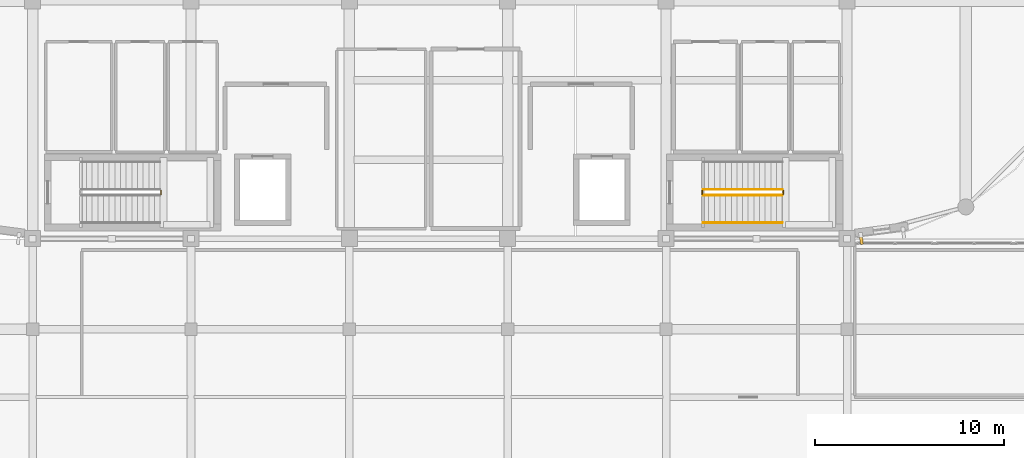
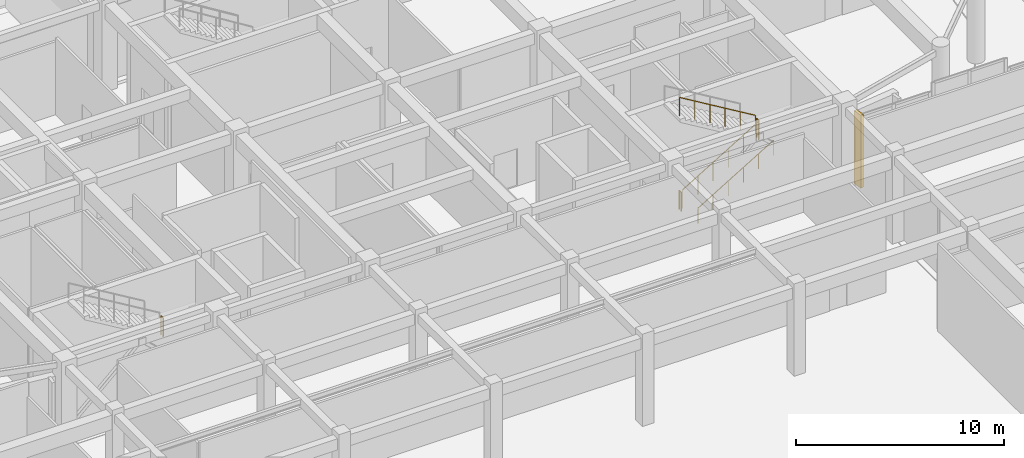
# One storey, part 92 of 98: 6 railings, 1 covering.
"""IFC4 building model written with IfcOpenShell, lengths in metres."""

from ifc_helpers import new_model, si_unit, direction, frame, origin, origin_2d, place, context, subcontext, project, spatial, rectangle, circle, extrude, material, layer, layer_set, type_object, element, save


model = new_model("IFC4")

# Units and contexts
model_context = context("Model", 3, precision=1e-05, world=origin(), true_north=direction((0.0, 1.0)))
body_context = subcontext(model_context, "Body", "Model", "MODEL_VIEW")
ifc_project = project(units=[si_unit("LENGTHUNIT", "METRE"), si_unit("AREAUNIT", "SQUARE_METRE"), si_unit("VOLUMEUNIT", "CUBIC_METRE"), si_unit("PLANEANGLEUNIT", "RADIAN"), si_unit("MASSUNIT", "GRAM", prefix="KILO")], contexts=[model_context])

# Site, building, storey
site_placement = place(None, origin())
site = spatial("IfcSite", under=ifc_project, at=site_placement, CompositionType="ELEMENT")
building_placement = place(site_placement, origin())
building = spatial("IfcBuilding", under=site, at=building_placement, Name="Tarnavel Promenade Courthouse", CompositionType="ELEMENT")
storey_placement = place(building_placement, origin())
storey = spatial("IfcBuildingStorey", under=building, at=storey_placement, Name="L01", CompositionType="ELEMENT", Elevation=0.0)

# Railings
ifc_material_1 = material(Name="Brushed Bronze Tubular Stair Handrail")
railing_type_1 = type_object("IfcRailingType", Name="Brushed Bronze Tubular Stair Handrail (RL-HND-0900)", PredefinedType="HANDRAIL", material=ifc_material_1)
railing_1_placement = place(storey_placement, frame((94.360107421875, 80.050048828125, 0.179931640625)))
element("IfcRailing", 1, at=railing_1_placement, inside=storey, type_object=railing_type_1, Name="L01 ST-02 stair handrail 1", PredefinedType="HANDRAIL", context=body_context, shape_type="SweptSolid", body=[
    extrude(circle(Radius=0.02392578125, at=origin_2d()), frame((0.0, 0.0, 0.8759765625), z_axis=(0.857488527567, 0.0, 0.514503085598), x_axis=(0.0, 1.0, 0.0)), (0.0, 0.0, 1.0), 4.89794921875),
    extrude(circle(Radius=0.02099609375, at=origin_2d()), origin(), (0.0, 0.0, 1.0), 0.851806640625),
    extrude(circle(Radius=0.02099609375, at=origin_2d()), frame((0.840087890625, 0.0, 0.50390625)), (0.0, 0.0, 1.0), 0.851806640625),
    extrude(circle(Radius=0.02099609375, at=origin_2d()), frame((1.679931640625, 0.0, 1.008056640625)), (0.0, 0.0, 1.0), 0.851806640625),
    extrude(circle(Radius=0.02099609375, at=origin_2d()), frame((2.52001953125, 0.0, 1.511962890625)), (0.0, 0.0, 1.0), 0.851806640625),
    extrude(circle(Radius=0.02099609375, at=origin_2d()), frame((3.35986328125, 0.0, 2.01611328125)), (0.0, 0.0, 1.0), 0.851806640625),
    extrude(circle(Radius=0.02099609375, at=origin_2d()), frame((4.199951171875, 0.0, 2.52001953125)), (0.0, 0.0, 1.0), 0.851806640625),
])
ifc_material_2 = material(Name="Painted Architectural Steel Core Stair Guardrail", Category="steel")
railing_type_2 = type_object("IfcRailingType", Name="Painted Architectural Steel Core Stair Guardrail (RL-GRD-1100)", PredefinedType="GUARDRAIL", material=ifc_material_2)
railing_2_placement = place(storey_placement, frame((65.610107421875, 81.56005859375, 2.699951171875)))
element("IfcRailing", 2, at=railing_2_placement, inside=storey, type_object=railing_type_2, Name="L01 ST-01 stair guard 2", PredefinedType="GUARDRAIL", context=body_context, shape_type="SweptSolid", body=[
    extrude(circle(Radius=0.02392578125, at=origin_2d()), frame((0.0, 0.0, 1.076171875), z_axis=(0.0, 1.0, 0.0), x_axis=(-1.0, 0.0, 0.0)), (0.0, 0.0, 1.0), 0.199951171875),
    extrude(circle(Radius=0.02099609375, at=origin_2d()), origin(), (0.0, 0.0, 1.0), 1.052001953125),
    extrude(circle(Radius=0.02099609375, at=origin_2d()), frame((0.0, 0.199951171875, 0.0)), (0.0, 0.0, 1.0), 1.052001953125),
])
railing_3_placement = place(storey_placement, frame((94.360107421875, 81.510009765625, 0.179931640625)))
element("IfcRailing", 3, at=railing_3_placement, inside=storey, type_object=railing_type_2, Name="L01 ST-02 stair guard 1", PredefinedType="GUARDRAIL", context=body_context, shape_type="SweptSolid", body=[
    extrude(circle(Radius=0.02392578125, at=origin_2d()), frame((0.0, 0.0, 1.076171875), z_axis=(0.857488527567, 0.0, 0.514503085598), x_axis=(0.0, 1.0, 0.0)), (0.0, 0.0, 1.0), 4.89794921875),
    extrude(circle(Radius=0.02099609375, at=origin_2d()), origin(), (0.0, 0.0, 1.0), 1.052001953125),
    extrude(circle(Radius=0.02099609375, at=origin_2d()), frame((0.840087890625, 0.0, 0.50390625)), (0.0, 0.0, 1.0), 1.052001953125),
    extrude(circle(Radius=0.02099609375, at=origin_2d()), frame((1.679931640625, 0.0, 1.008056640625)), (0.0, 0.0, 1.0), 1.052001953125),
    extrude(circle(Radius=0.02099609375, at=origin_2d()), frame((2.52001953125, 0.0, 1.511962890625)), (0.0, 0.0, 1.0), 1.052001953125),
    extrude(circle(Radius=0.02099609375, at=origin_2d()), frame((3.35986328125, 0.0, 2.01611328125)), (0.0, 0.0, 1.0), 1.052001953125),
    extrude(circle(Radius=0.02099609375, at=origin_2d()), frame((4.199951171875, 0.0, 2.52001953125)), (0.0, 0.0, 1.0), 1.052001953125),
])
railing_4_placement = place(storey_placement, frame((98.610107421875, 81.56005859375, 2.699951171875)))
element("IfcRailing", 4, at=railing_4_placement, inside=storey, type_object=railing_type_2, Name="L01 ST-02 stair guard 2", PredefinedType="GUARDRAIL", context=body_context, shape_type="SweptSolid", body=[
    extrude(circle(Radius=0.02392578125, at=origin_2d()), frame((0.0, 0.0, 1.076171875), z_axis=(0.0, 1.0, 0.0), x_axis=(-1.0, 0.0, 0.0)), (0.0, 0.0, 1.0), 0.199951171875),
    extrude(circle(Radius=0.02099609375, at=origin_2d()), origin(), (0.0, 0.0, 1.0), 1.052001953125),
    extrude(circle(Radius=0.02099609375, at=origin_2d()), frame((0.0, 0.199951171875, 0.0)), (0.0, 0.0, 1.0), 1.052001953125),
])
railing_5_placement = place(storey_placement, frame((98.56005859375, 81.81005859375, 2.8798828125)))
element("IfcRailing", 5, at=railing_5_placement, inside=storey, type_object=railing_type_2, Name="L01 ST-02 stair guard 3", PredefinedType="GUARDRAIL", context=body_context, shape_type="SweptSolid", body=[
    extrude(circle(Radius=0.02392578125, at=origin_2d()), frame((0.0, 0.0, 1.076171875), z_axis=(-0.857488527567, 0.0, 0.514503085598), x_axis=(0.0, -1.0, 0.0)), (0.0, 0.0, 1.0), 4.89794921875),
    extrude(circle(Radius=0.02099609375, at=origin_2d()), origin(), (0.0, 0.0, 1.0), 1.052001953125),
    extrude(circle(Radius=0.02099609375, at=origin_2d()), frame((-0.840087890625, 0.0, 0.50390625)), (0.0, 0.0, 1.0), 1.052001953125),
    extrude(circle(Radius=0.02099609375, at=origin_2d()), frame((-1.679931640625, 0.0, 1.008056640625)), (0.0, 0.0, 1.0), 1.052001953125),
    extrude(circle(Radius=0.02099609375, at=origin_2d()), frame((-2.52001953125, 0.0, 1.511962890625)), (0.0, 0.0, 1.0), 1.052001953125),
    extrude(circle(Radius=0.02099609375, at=origin_2d()), frame((-3.35986328125, 0.0, 2.01611328125)), (0.0, 0.0, 1.0), 1.052001953125),
    extrude(circle(Radius=0.02099609375, at=origin_2d()), frame((-4.199951171875, 0.0, 2.52001953125)), (0.0, 0.0, 1.0), 1.052001953125),
])
railing_6_placement = place(storey_placement, frame((94.31005859375, 81.56005859375, 0.0)))
element("IfcRailing", 6, at=railing_6_placement, inside=storey, type_object=railing_type_2, Name="L01 ST-02 stair guard 4", PredefinedType="GUARDRAIL", context=body_context, shape_type="SweptSolid", body=[
    extrude(circle(Radius=0.02392578125, at=origin_2d()), frame((0.0, 0.0, 1.076171875), z_axis=(0.0, 1.0, 0.0), x_axis=(-1.0, 0.0, 0.0)), (0.0, 0.0, 1.0), 0.199951171875),
    extrude(circle(Radius=0.02099609375, at=origin_2d()), origin(), (0.0, 0.0, 1.0), 1.052001953125),
    extrude(circle(Radius=0.02099609375, at=origin_2d()), frame((0.0, 0.199951171875, 0.0)), (0.0, 0.0, 1.0), 1.052001953125),
])

# Covering
ifc_material_3 = material(Name="Patinated Copper-Bronze Fluted Pier Cladding")
ifc_layer = layer(ifc_material_3, 0.52001953125)
ifc_layer_set = layer_set([ifc_layer], Name="Patinated Copper-Bronze Fluted Pier Cladding")
covering_type = type_object("IfcCoveringType", Name="Patinated Copper-Bronze Fluted Pier Cladding COV-PIER-520 (520 mm)", PredefinedType="CLADDING", material=ifc_layer_set)
covering_placement = place(storey_placement, frame((102.7568359375, 79.158447265625, 0.0), z_axis=(0.0, 0.0, 1.0), x_axis=(0.991444861374, 0.13052619222, 0.0)))
element("IfcCovering", 7, at=covering_placement, inside=storey, type_object=covering_type, Name="L01 E Drum Fluted Copper Pier 0021", PredefinedType="CLADDING", context=body_context, shape_type="SweptSolid", body=[
    extrude(rectangle(XDim=0.159912109375, YDim=0.52001953125, at=origin_2d()), origin(), (0.0, 0.0, 1.0), 4.27001953125),
])

save(model, "model.ifc")
